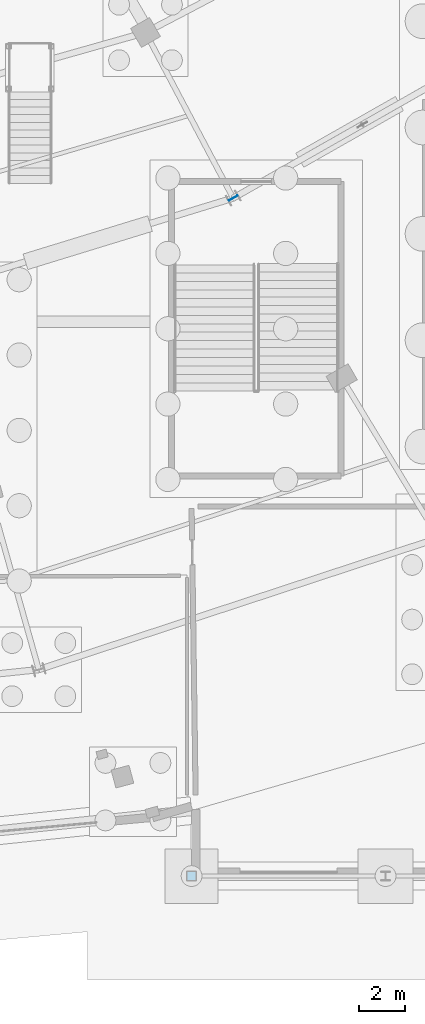
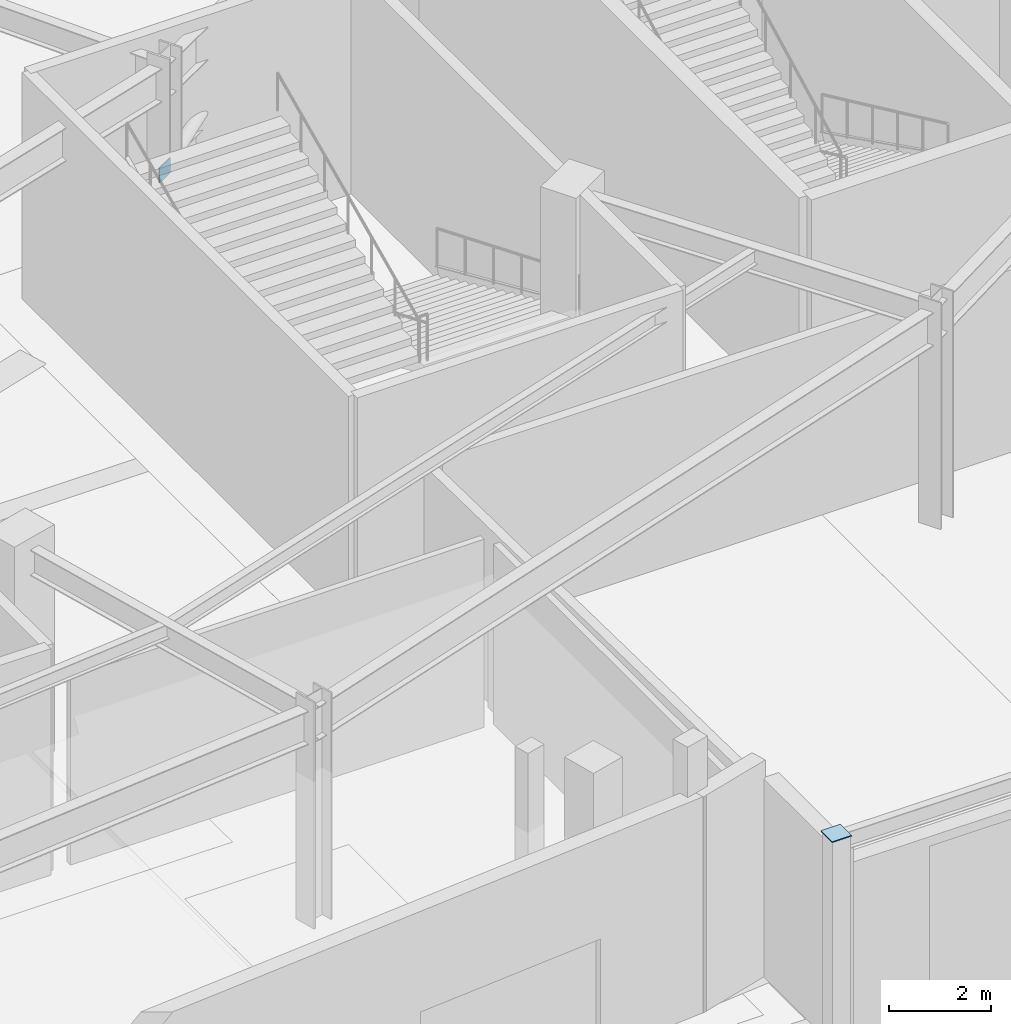
# One storey, part 43 of 93: 2 plates.
"""IFC4 building model written with IfcOpenShell, lengths in metres."""

from ifc_helpers import new_model, si_unit, direction, frame, origin, origin_2d, place, context, subcontext, project, spatial, rectangle, extrude, material, layer, layer_set, type_object, element, save


model = new_model("IFC4")

# Units and contexts
model_context = context("Model", 3, precision=1e-05, world=origin(), true_north=direction((0.0, 1.0)))
body_context = subcontext(model_context, "Body", "Model", "MODEL_VIEW")
ifc_project = project(units=[si_unit("LENGTHUNIT", "METRE"), si_unit("AREAUNIT", "SQUARE_METRE"), si_unit("VOLUMEUNIT", "CUBIC_METRE"), si_unit("PLANEANGLEUNIT", "RADIAN"), si_unit("MASSUNIT", "GRAM", prefix="KILO")], contexts=[model_context])

# Site, building, storey
site_placement = place(None, origin())
site = spatial("IfcSite", under=ifc_project, at=site_placement, CompositionType="ELEMENT")
building_placement = place(site_placement, origin())
building = spatial("IfcBuilding", under=site, at=building_placement, Name="Kalgoora Escarpment Arena", CompositionType="ELEMENT")
storey_placement = place(building_placement, origin())
storey = spatial("IfcBuildingStorey", under=building, at=storey_placement, Name="L00", CompositionType="ELEMENT", Elevation=0.0)

# Plates
ifc_material_1 = material(Name="Structural steel Grade 350 (350 MPa)", Category="steel")
ifc_layer_1 = layer(ifc_material_1, 0.02490234375)
ifc_layer_set_1 = layer_set([ifc_layer_1], Name="PLT-CAP-400")
plate_type_1 = type_object("IfcPlateType", Name="PLT-CAP-400", PredefinedType="USERDEFINED", material=ifc_layer_set_1)
plate_1_placement = place(storey_placement, frame((117.60009765625, 0.0, 5.125), z_axis=(0.0, 0.0, 1.0), x_axis=(1.0, 0.0, 0.0)))
element("IfcPlate", 1, at=plate_1_placement, inside=storey, type_object=plate_type_1, Name="COL-G15-A-L00 end cap plate", ObjectType="FLANGE PLATE", PredefinedType="USERDEFINED", context=body_context, shape_type="SweptSolid", body=[
    extrude(rectangle(XDim=0.43994140625, YDim=0.43994140625, at=origin_2d()), origin(), (0.0, 0.0, 1.0), 0.02490234375),
])
ifc_material_2 = material(Name="Structural steel Grade 350 (350 MPa)", Category="steel")
ifc_layer_2 = layer(ifc_material_2, 0.02490234375)
ifc_layer_set_2 = layer_set([ifc_layer_2], Name="PLT-GUSSET-25")
plate_type_2 = type_object("IfcPlateType", Name="PLT-GUSSET-25", PredefinedType="USERDEFINED", material=ifc_layer_set_2)
plate_2_placement = place(storey_placement, frame((119.39990234375, 29.35888671875, 2.33984375), z_axis=(0.0, 0.0, 1.0), x_axis=(0.869494929505, 0.493941866584, 0.0)))
element("IfcPlate", 2, at=plate_2_placement, inside=storey, type_object=plate_type_2, Name="Brace and post end gusset plate 007", ObjectType="FLANGE PLATE", PredefinedType="USERDEFINED", context=body_context, shape_type="SweptSolid", body=[
    extrude(rectangle(XDim=0.419921875, YDim=0.02490234375, at=origin_2d()), origin(), (0.0, 0.0, 1.0), 0.360107421875),
])

save(model, "model.ifc")
